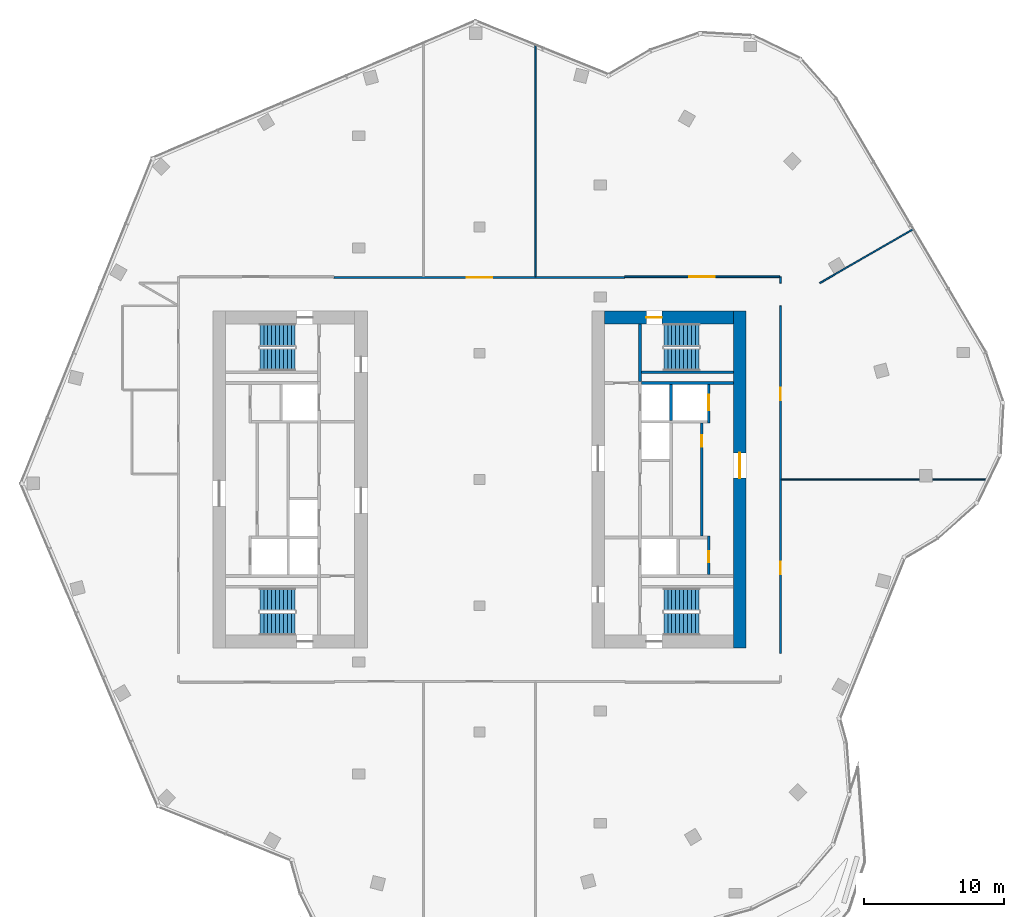
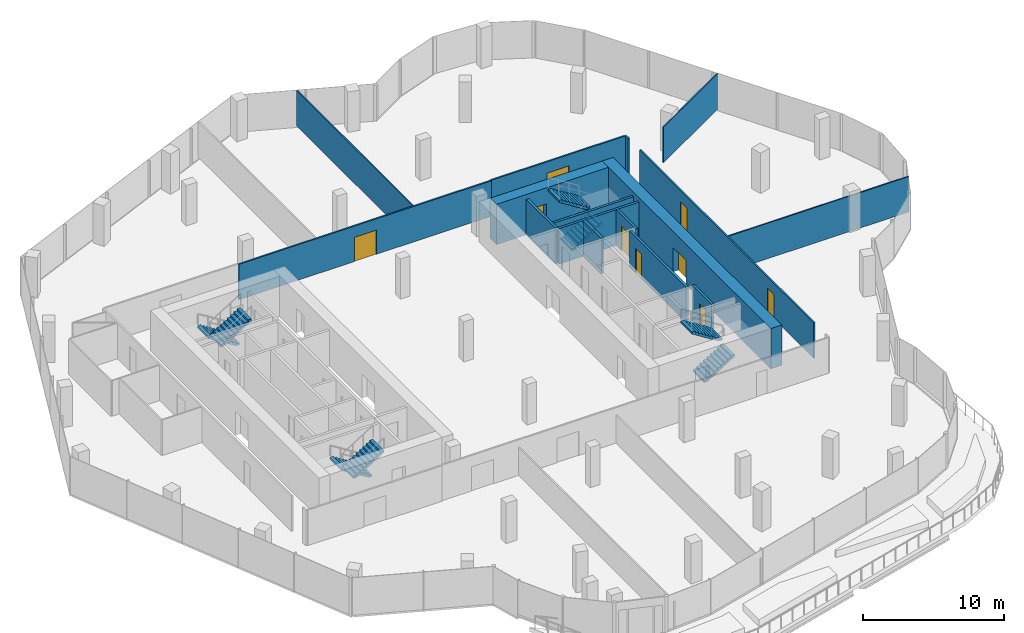
# One storey, part 14 of 16: 16 walls, 9 doors, 8 stair flights, 9 openings, 4 elements without a shape of their own.
"""IFC4 building model written with IfcOpenShell, lengths in metres."""

from ifc_helpers import new_model, si_unit, direction, frame, frame_2d, origin, place, context, subcontext, project, spatial, polyline, rectangle, outline, extrude, material, layer, layer_set, type_object, element, fill, aggregate, save


model = new_model("IFC4")

# Units and contexts
model_context = context("Model", 3, precision=1e-05, world=origin(), true_north=direction((0.0, 1.0)))
body_context = subcontext(model_context, "Body", "Model", "MODEL_VIEW")
ifc_project = project(units=[si_unit("LENGTHUNIT", "METRE"), si_unit("AREAUNIT", "SQUARE_METRE"), si_unit("VOLUMEUNIT", "CUBIC_METRE"), si_unit("PLANEANGLEUNIT", "RADIAN"), si_unit("MASSUNIT", "GRAM", prefix="KILO")], contexts=[model_context])

# Site, building, storey
site_placement = place(None, origin())
site = spatial("IfcSite", under=ifc_project, at=site_placement, CompositionType="ELEMENT")
building_placement = place(site_placement, origin())
building = spatial("IfcBuilding", under=site, at=building_placement, Name="Orlundy Tower", CompositionType="ELEMENT")
storey_placement = place(building_placement, frame((0.0, 0.0, 292.89990234375)))
storey = spatial("IfcBuildingStorey", under=building, at=storey_placement, Name="L78", CompositionType="ELEMENT", Elevation=292.89990234375)

# Wall, opening, door
ifc_material_1 = material(Name="Concrete C50/60", Category="concrete")
ifc_layer_1 = layer(ifc_material_1, 0.89990234375)
ifc_layer_set_1 = layer_set([ifc_layer_1], Name="CORE WALL 900 C50/60")
wall_type_1 = type_object("IfcWallType", Name="CORE WALL 900 C50/60", PredefinedType="SHEAR", material=ifc_layer_set_1)
wall_1_placement = place(storey_placement, frame((8.89990234375, 11.550048828125, 0.0), z_axis=(0.0, 0.0, 1.0), x_axis=(1.0, 0.0, 0.0)))
wall_1 = element("IfcWall", 1, at=wall_1_placement, inside=storey, type_object=wall_type_1, Name="Core wall E-N L78", PredefinedType="SHEAR", context=body_context, shape_type="SweptSolid", body=[
    extrude(rectangle(XDim=9.2001953125, YDim=0.89990234375, at=frame_2d((4.60009765625, 0.0))), origin(), (0.0, 0.0, 1.0), 3.5),
])
opening_1_placement = place(wall_1_placement, frame((3.0, 0.0, 0.0)))
opening_1 = element("IfcOpeningElement", 2, at=opening_1_placement, cuts=wall_1, Name="Opening 60061", PredefinedType="OPENING", context=body_context, shape_type="SweptSolid", body=[
    extrude(rectangle(XDim=1.10009765625, YDim=2.10009765625, at=frame_2d((0.550048828125, 1.050048828125))), frame((0.0, 0.4599609375, 0.0), z_axis=(0.0, -1.0, 0.0), x_axis=(1.0, 0.0, 0.0)), (0.0, 0.0, 1.0), 0.919921875),
])
ifc_material_2 = material(Name="Steel door set", Category="steel")
door_type_1 = type_object("IfcDoorType", Name="Stair Door 1100x2100", OperationType="SINGLE_SWING_LEFT", PredefinedType="DOOR", material=ifc_material_2)
door_1_placement = place(opening_1_placement, origin())
door_1 = element("IfcDoor", 3, at=door_1_placement, inside=storey, type_object=door_type_1, Name="Stair door 60061", OperationType="SINGLE_SWING_LEFT", OverallHeight=2.10009765625, OverallWidth=1.10009765625, PredefinedType="DOOR", context=body_context, shape_type="SweptSolid", body=[
    extrude(rectangle(XDim=1.10009765625, YDim=2.10009765625, at=frame_2d((0.550048828125, 1.050048828125))), frame((0.0, 0.02490234375, 0.0), z_axis=(0.0, -1.0, 0.0), x_axis=(1.0, 0.0, 0.0)), (0.0, 0.0, 1.0), 0.050048828125),
])
fill(opening_1, door_1)

wall_2_placement = place(storey_placement, frame((18.550048828125, -12.0, 0.0), z_axis=(0.0, 0.0, 1.0), x_axis=(0.0, 1.0, 0.0)))
wall_2 = element("IfcWall", 4, at=wall_2_placement, inside=storey, type_object=wall_type_1, Name="Core wall E-E L78", PredefinedType="SHEAR", context=body_context, shape_type="SweptSolid", body=[
    extrude(rectangle(XDim=24.0, YDim=0.89990234375, at=frame_2d((12.0, 0.0))), origin(), (0.0, 0.0, 1.0), 3.5),
])
opening_2_placement = place(wall_2_placement, frame((12.10009765625, 0.0, 0.0)))
opening_2 = element("IfcOpeningElement", 5, at=opening_2_placement, cuts=wall_2, Name="Opening 60058", PredefinedType="OPENING", context=body_context, shape_type="SweptSolid", body=[
    extrude(rectangle(XDim=1.800048828125, YDim=2.10009765625, at=frame_2d((0.89990234375, 1.050048828125))), frame((0.0, 0.4599609375, 0.0), z_axis=(0.0, -1.0, 0.0), x_axis=(1.0, 0.0, 0.0)), (0.0, 0.0, 1.0), 0.919921875),
])
ifc_material_3 = material(Name="Timber door set", Category="wood")
door_type_2 = type_object("IfcDoorType", Name="Lobby Door 1800x2100", OperationType="DOUBLE_DOOR_DOUBLE_SWING", PredefinedType="DOOR", material=ifc_material_3)
door_2_placement = place(opening_2_placement, origin())
door_2 = element("IfcDoor", 6, at=door_2_placement, inside=storey, type_object=door_type_2, Name="Lift lobby door 60058", OperationType="SINGLE_SWING_RIGHT", OverallHeight=2.10009765625, OverallWidth=1.800048828125, PredefinedType="DOOR", context=body_context, shape_type="SweptSolid", body=[
    extrude(rectangle(XDim=1.800048828125, YDim=2.10009765625, at=frame_2d((0.89990234375, 1.050048828125))), frame((0.0, 0.02490234375, 0.0), z_axis=(0.0, -1.0, 0.0), x_axis=(1.0, 0.0, 0.0)), (0.0, 0.0, 1.0), 0.050048828125),
])
fill(opening_2, door_2)

# Walls
ifc_material_4 = material(Name="Gypsum board partition")
ifc_layer_2 = layer(ifc_material_4, 0.10009765625)
ifc_layer_set_2 = layer_set([ifc_layer_2], Name="Floor partition 100")
wall_type_2 = type_object("IfcWallType", Name="Floor partition 100", PredefinedType="PARTITIONING", material=ifc_layer_set_2)
wall_3_placement = place(storey_placement, frame((21.511962890625, 0.0, 0.0), z_axis=(0.0, 0.0, 1.0), x_axis=(1.0, 0.0, 0.0)))
element("IfcWall", 7, at=wall_3_placement, inside=storey, type_object=wall_type_2, Name="wall-int-L78-005", PredefinedType="PARTITIONING", context=body_context, shape_type="SweptSolid", body=[
    extrude(rectangle(XDim=14.841064453125, YDim=0.10009765625, at=frame_2d((7.42041015625, 0.0))), origin(), (0.0, 0.0, 1.0), 3.080078125),
])
wall_4_placement = place(storey_placement, frame((24.2490234375, 14.0, 0.0), z_axis=(0.0, 0.0, 1.0), x_axis=(0.866009351323, 0.500027802648, 0.0)))
element("IfcWall", 8, at=wall_4_placement, inside=storey, type_object=wall_type_2, Name="wall-int-L78-013", PredefinedType="PARTITIONING", context=body_context, shape_type="SweptSolid", body=[
    extrude(rectangle(XDim=7.75146484375, YDim=0.10009765625, at=frame_2d((3.875732421875, 0.0))), origin(), (0.0, 0.0, 1.0), 3.080078125),
])
wall_5_placement = place(storey_placement, frame((4.0, 14.462890625, 0.0), z_axis=(0.0, 0.0, 1.0), x_axis=(0.0, 1.0, 0.0)))
element("IfcWall", 9, at=wall_5_placement, inside=storey, type_object=wall_type_2, Name="wall-int-L78-018", PredefinedType="PARTITIONING", context=body_context, shape_type="SweptSolid", body=[
    extrude(rectangle(XDim=16.547119140625, YDim=0.10009765625, at=frame_2d((8.2734375, 0.0))), origin(), (0.0, 0.0, 1.0), 3.080078125),
])

# Wall, opening, door
ifc_material_5 = material(Name="Gypsum board partition, double layer")
ifc_layer_3 = layer(ifc_material_5, 0.125)
ifc_layer_set_3 = layer_set([ifc_layer_3], Name="Floor partition 125")
wall_type_3 = type_object("IfcWallType", Name="Floor partition 125", PredefinedType="PARTITIONING", material=ifc_layer_set_3)
wall_6_placement = place(storey_placement, frame((-10.389892578125, 14.40087890625, 0.0), z_axis=(0.0, 0.0, 1.0), x_axis=(1.0, 0.0, 0.0)))
wall_6 = element("IfcWall", 10, at=wall_6_placement, inside=storey, type_object=wall_type_3, Name="wall-int-L78-010", PredefinedType="PARTITIONING", context=body_context, shape_type="SweptSolid", body=[
    extrude(rectangle(XDim=20.739013671875, YDim=0.125, at=frame_2d((10.36962890625, 0.0))), origin(), (0.0, 0.0, 1.0), 3.080078125),
])
opening_3_placement = place(wall_6_placement, frame((9.489990234375, 0.0, 0.0)))
opening_3 = element("IfcOpeningElement", 11, at=opening_3_placement, cuts=wall_6, Name="Opening 60108", PredefinedType="OPENING", context=body_context, shape_type="SweptSolid", body=[
    extrude(rectangle(XDim=1.800048828125, YDim=2.10009765625, at=frame_2d((0.89990234375, 1.050048828125))), frame((0.0, 0.072509765625, 0.0), z_axis=(0.0, -1.0, 0.0), x_axis=(1.0, 0.0, 0.0)), (0.0, 0.0, 1.0), 0.14501953125),
])
ifc_material_6 = material(Name="Timber door leaf", Category="wood")
door_type_3 = type_object("IfcDoorType", Name="Floor door double 1800 FD30S", OperationType="NOTDEFINED", PredefinedType="DOOR", material=ifc_material_6)
door_3_placement = place(opening_3_placement, origin())
door_3 = element("IfcDoor", 12, at=door_3_placement, inside=storey, type_object=door_type_3, Name="Door 60108", OperationType="DOUBLE_DOOR_SINGLE_SWING", OverallHeight=2.10009765625, OverallWidth=1.800048828125, PredefinedType="DOOR", context=body_context, shape_type="SweptSolid", body=[
    extrude(rectangle(XDim=1.800048828125, YDim=2.10009765625, at=frame_2d((0.89990234375, 1.050048828125))), frame((0.0, 0.02490234375, 0.0), z_axis=(0.0, -1.0, 0.0), x_axis=(1.0, 0.0, 0.0)), (0.0, 0.0, 1.0), 0.050048828125),
])
fill(opening_3, door_3)

wall_7_placement = place(storey_placement, frame((10.35009765625, 14.450927734375, 0.0), z_axis=(0.0, 0.0, 1.0), x_axis=(1.0, 0.0, 0.0)))
wall_7 = element("IfcWall", 13, at=wall_7_placement, inside=storey, type_object=wall_type_3, Name="wall-int-L78-012", PredefinedType="PARTITIONING", context=body_context, shape_type="SweptSolid", body=[
    extrude(rectangle(XDim=11.036865234375, YDim=0.125, at=frame_2d((5.5185546875, 0.0))), origin(), (0.0, 0.0, 1.0), 3.080078125),
])
opening_4_placement = place(wall_7_placement, frame((4.60009765625, 0.0, 0.0)))
opening_4 = element("IfcOpeningElement", 14, at=opening_4_placement, cuts=wall_7, Name="Opening 60107", PredefinedType="OPENING", context=body_context, shape_type="SweptSolid", body=[
    extrude(rectangle(XDim=1.800048828125, YDim=2.10009765625, at=frame_2d((0.89990234375, 1.050048828125))), frame((0.0, 0.072509765625, 0.0), z_axis=(0.0, -1.0, 0.0), x_axis=(1.0, 0.0, 0.0)), (0.0, 0.0, 1.0), 0.14501953125),
])
door_4_placement = place(opening_4_placement, origin())
door_4 = element("IfcDoor", 15, at=door_4_placement, inside=storey, type_object=door_type_3, Name="Door 60107", OperationType="DOUBLE_DOOR_SINGLE_SWING", OverallHeight=2.10009765625, OverallWidth=1.800048828125, PredefinedType="DOOR", context=body_context, shape_type="SweptSolid", body=[
    extrude(rectangle(XDim=1.800048828125, YDim=2.10009765625, at=frame_2d((0.89990234375, 1.050048828125))), frame((0.0, 0.02490234375, 0.0), z_axis=(0.0, -1.0, 0.0), x_axis=(1.0, 0.0, 0.0)), (0.0, 0.0, 1.0), 0.050048828125),
])
fill(opening_4, door_4)

# Wall, openings, doors
wall_8_placement = place(storey_placement, frame((21.449951171875, 12.384033203125, 0.0), z_axis=(0.0, 0.0, 1.0), x_axis=(0.0, -1.0, 0.0)))
wall_8 = element("IfcWall", 16, at=wall_8_placement, inside=storey, type_object=wall_type_3, Name="wall-int-L78-015", PredefinedType="PARTITIONING", context=body_context, shape_type="SweptSolid", body=[
    extrude(rectangle(XDim=24.76806640625, YDim=0.125, at=frame_2d((12.384033203125, 0.0))), origin(), (0.0, 0.0, 1.0), 3.080078125),
])
opening_5_placement = place(wall_8_placement, frame((18.23388671875, 0.0, 0.0)))
opening_5 = element("IfcOpeningElement", 17, at=opening_5_placement, cuts=wall_8, Name="Opening 60105", PredefinedType="OPENING", context=body_context, shape_type="SweptSolid", body=[
    extrude(rectangle(XDim=0.89990234375, YDim=2.10009765625, at=frame_2d((0.449951171875, 1.050048828125))), frame((0.0, 0.072509765625, 0.0), z_axis=(0.0, -1.0, 0.0), x_axis=(1.0, 0.0, 0.0)), (0.0, 0.0, 1.0), 0.14501953125),
])
opening_6_placement = place(wall_8_placement, frame((5.85009765625, 0.0, 0.0)))
opening_6 = element("IfcOpeningElement", 18, at=opening_6_placement, cuts=wall_8, Name="Opening 60106", PredefinedType="OPENING", context=body_context, shape_type="SweptSolid", body=[
    extrude(rectangle(XDim=0.89990234375, YDim=2.10009765625, at=frame_2d((0.449951171875, 1.050048828125))), frame((0.0, 0.072509765625, 0.0), z_axis=(0.0, -1.0, 0.0), x_axis=(1.0, 0.0, 0.0)), (0.0, 0.0, 1.0), 0.14501953125),
])
ifc_material_7 = material(Name="Timber door leaf", Category="wood")
door_type_4 = type_object("IfcDoorType", Name="Floor door single 900 FD30S", OperationType="NOTDEFINED", PredefinedType="DOOR", material=ifc_material_7)
door_5_placement = place(opening_5_placement, origin())
door_5 = element("IfcDoor", 19, at=door_5_placement, inside=storey, type_object=door_type_4, Name="Door 60105", OperationType="SINGLE_SWING_RIGHT", OverallHeight=2.10009765625, OverallWidth=0.89990234375, PredefinedType="DOOR", context=body_context, shape_type="SweptSolid", body=[
    extrude(rectangle(XDim=0.89990234375, YDim=2.10009765625, at=frame_2d((0.449951171875, 1.050048828125))), frame((0.0, 0.02490234375, 0.0), z_axis=(0.0, -1.0, 0.0), x_axis=(1.0, 0.0, 0.0)), (0.0, 0.0, 1.0), 0.050048828125),
])
fill(opening_5, door_5)
door_6_placement = place(opening_6_placement, origin())
door_6 = element("IfcDoor", 20, at=door_6_placement, inside=storey, type_object=door_type_4, Name="Door 60106", OperationType="SINGLE_SWING_LEFT", OverallHeight=2.10009765625, OverallWidth=0.89990234375, PredefinedType="DOOR", context=body_context, shape_type="SweptSolid", body=[
    extrude(rectangle(XDim=0.89990234375, YDim=2.10009765625, at=frame_2d((0.449951171875, 1.050048828125))), frame((0.0, 0.02490234375, 0.0), z_axis=(0.0, -1.0, 0.0), x_axis=(1.0, 0.0, 0.0)), (0.0, 0.0, 1.0), 0.050048828125),
])
fill(opening_6, door_6)

# Walls
wall_9_placement = place(storey_placement, frame((21.449951171875, 14.0, 0.0), z_axis=(0.0, 0.0, 1.0), x_axis=(0.0, 1.0, 0.0)))
element("IfcWall", 21, at=wall_9_placement, inside=storey, type_object=wall_type_3, Name="wall-int-L78-016", PredefinedType="PARTITIONING", context=body_context, shape_type="SweptSolid", body=[
    extrude(rectangle(XDim=0.450927734375, YDim=0.125, at=frame_2d((0.2255859375, 0.0))), origin(), (0.0, 0.0, 1.0), 3.080078125),
])
ifc_material_8 = material(Name="Concrete C40/50", Category="concrete")
ifc_layer_4 = layer(ifc_material_8, 0.199951171875)
ifc_layer_set_4 = layer_set([ifc_layer_4], Name="Load-bearing Shaft Wall 200")
wall_type_4 = type_object("IfcWallType", Name="Load-bearing Shaft Wall 200", PredefinedType="SOLIDWALL", material=ifc_layer_set_4)
wall_10_placement = place(storey_placement, frame((11.43994140625, 11.10009765625, 0.0), z_axis=(0.0, 0.0, 1.0), x_axis=(0.0, -1.0, 0.0)))
element("IfcWall", 22, at=wall_10_placement, inside=storey, type_object=wall_type_4, Name="Shaft wall E60-stair-end-s", PredefinedType="SOLIDWALL", context=body_context, shape_type="SweptSolid", body=[
    extrude(rectangle(XDim=4.125, YDim=0.199951171875, at=frame_2d((2.0625, 0.0))), origin(), (0.0, 0.0, 1.0), 3.090087890625),
])
wall_11_placement = place(storey_placement, frame((11.5400390625, 7.64990234375, 0.0), z_axis=(0.0, 0.0, 1.0), x_axis=(1.0, 0.0, 0.0)))
element("IfcWall", 23, at=wall_11_placement, inside=storey, type_object=wall_type_4, Name="Shaft wall E60-stair-side-s", PredefinedType="SOLIDWALL", context=body_context, shape_type="SweptSolid", body=[
    extrude(rectangle(XDim=6.56005859375, YDim=0.199951171875, at=frame_2d((3.280029296875, 0.0))), origin(), (0.0, 0.0, 1.0), 3.090087890625),
])
ifc_material_9 = material(Name="Fire-rated blockwork shaft wall", Category="masonry")
ifc_layer_5 = layer(ifc_material_9, 0.199951171875)
ifc_layer_set_5 = layer_set([ifc_layer_5], Name="Shaft Wall 200")
wall_type_5 = type_object("IfcWallType", Name="Shaft Wall 200", PredefinedType="SOLIDWALL", material=ifc_layer_set_5)
wall_12_placement = place(storey_placement, frame((11.5400390625, 6.875, 0.0), z_axis=(0.0, 0.0, 1.0), x_axis=(1.0, 0.0, 0.0)))
element("IfcWall", 24, at=wall_12_placement, inside=storey, type_object=wall_type_5, Name="Shaft wall E60-zone-s", PredefinedType="SOLIDWALL", context=body_context, shape_type="SweptSolid", body=[
    extrude(rectangle(XDim=6.56005859375, YDim=0.199951171875, at=frame_2d((3.280029296875, 0.0))), origin(), (0.0, 0.0, 1.0), 3.090087890625),
])
wall_13_placement = place(storey_placement, frame((13.639892578125, 6.77490234375, 0.0), z_axis=(0.0, 0.0, 1.0), x_axis=(0.0, -1.0, 0.0)))
element("IfcWall", 25, at=wall_13_placement, inside=storey, type_object=wall_type_5, Name="Shaft wall E60-mid-a", PredefinedType="SOLIDWALL", context=body_context, shape_type="SweptSolid", body=[
    extrude(rectangle(XDim=2.5498046875, YDim=0.199951171875, at=frame_2d((1.27490234375, 0.0))), origin(), (0.0, 0.0, 1.0), 3.090087890625),
])

# Wall, opening, door
wall_14_placement = place(storey_placement, frame((16.340087890625, 6.77490234375, 0.0), z_axis=(0.0, 0.0, 1.0), x_axis=(0.0, -1.0, 0.0)))
wall_14 = element("IfcWall", 26, at=wall_14_placement, inside=storey, type_object=wall_type_5, Name="Shaft wall E60-front-o-a", PredefinedType="SOLIDWALL", context=body_context, shape_type="SweptSolid", body=[
    extrude(rectangle(XDim=2.75, YDim=0.199951171875, at=frame_2d((1.375, 0.0))), origin(), (0.0, 0.0, 1.0), 3.090087890625),
])
opening_7_placement = place(wall_14_placement, frame((0.72509765625, 0.0, 0.0)))
opening_7 = element("IfcOpeningElement", 27, at=opening_7_placement, cuts=wall_14, Name="Opening 60051", PredefinedType="OPENING", context=body_context, shape_type="SweptSolid", body=[
    extrude(rectangle(XDim=1.10009765625, YDim=2.10009765625, at=frame_2d((0.550048828125, 1.050048828125))), frame((0.0, 0.110107421875, 0.0), z_axis=(0.0, -1.0, 0.0), x_axis=(1.0, 0.0, 0.0)), (0.0, 0.0, 1.0), 0.22021484375),
])
ifc_material_10 = material(Name="Steel door set", Category="steel")
door_type_5 = type_object("IfcDoorType", Name="Landing Door 1100x2100", OperationType="DOUBLE_DOOR_SLIDING", PredefinedType="DOOR", material=ifc_material_10)
door_7_placement = place(opening_7_placement, origin())
door_7 = element("IfcDoor", 28, at=door_7_placement, inside=storey, type_object=door_type_5, Name="Lift landing door LV-02 60051", OperationType="DOUBLE_DOOR_SLIDING", OverallHeight=2.10009765625, OverallWidth=1.10009765625, PredefinedType="DOOR", context=body_context, shape_type="SweptSolid", body=[
    extrude(rectangle(XDim=1.10009765625, YDim=2.10009765625, at=frame_2d((0.550048828125, 1.050048828125))), frame((0.0, 0.02490234375, 0.0), z_axis=(0.0, -1.0, 0.0), x_axis=(1.0, 0.0, 0.0)), (0.0, 0.0, 1.0), 0.050048828125),
])
fill(opening_7, door_7)

wall_15_placement = place(storey_placement, frame((15.840087890625, 4.02490234375, 0.0), z_axis=(0.0, 0.0, 1.0), x_axis=(0.0, -1.0, 0.0)))
wall_15 = element("IfcWall", 29, at=wall_15_placement, inside=storey, type_object=wall_type_5, Name="Shaft wall E60-front-o-b", PredefinedType="SOLIDWALL", context=body_context, shape_type="SweptSolid", body=[
    extrude(rectangle(XDim=8.0498046875, YDim=0.199951171875, at=frame_2d((4.02490234375, 0.0))), origin(), (0.0, 0.0, 1.0), 3.090087890625),
])
opening_8_placement = place(wall_15_placement, frame((0.875, 0.0, 0.0)))
opening_8 = element("IfcOpeningElement", 30, at=opening_8_placement, cuts=wall_15, Name="Opening 60054", PredefinedType="OPENING", context=body_context, shape_type="SweptSolid", body=[
    extrude(rectangle(XDim=0.800048828125, YDim=2.10009765625, at=frame_2d((0.39990234375, 1.050048828125))), frame((0.0, 0.110107421875, 0.0), z_axis=(0.0, -1.0, 0.0), x_axis=(1.0, 0.0, 0.0)), (0.0, 0.0, 1.0), 0.22021484375),
])
ifc_material_11 = material(Name="Timber door set", Category="wood")
door_type_6 = type_object("IfcDoorType", Name="Riser Door 800x2100", OperationType="SINGLE_SWING_LEFT", PredefinedType="DOOR", material=ifc_material_11)
door_8_placement = place(opening_8_placement, origin())
door_8 = element("IfcDoor", 31, at=door_8_placement, inside=storey, type_object=door_type_6, Name="HVAC Riser door 60054", OperationType="SINGLE_SWING_LEFT", OverallHeight=2.10009765625, OverallWidth=0.800048828125, PredefinedType="DOOR", context=body_context, shape_type="SweptSolid", body=[
    extrude(rectangle(XDim=0.800048828125, YDim=2.10009765625, at=frame_2d((0.39990234375, 1.050048828125))), frame((0.0, 0.02490234375, 0.0), z_axis=(0.0, -1.0, 0.0), x_axis=(1.0, 0.0, 0.0)), (0.0, 0.0, 1.0), 0.050048828125),
])
fill(opening_8, door_8)

wall_16_placement = place(storey_placement, frame((16.340087890625, -4.02490234375, 0.0), z_axis=(0.0, 0.0, 1.0), x_axis=(0.0, -1.0, 0.0)))
wall_16 = element("IfcWall", 32, at=wall_16_placement, inside=storey, type_object=wall_type_5, Name="Shaft wall E60-front-o-c", PredefinedType="SOLIDWALL", context=body_context, shape_type="SweptSolid", body=[
    extrude(rectangle(XDim=2.75, YDim=0.199951171875, at=frame_2d((1.375, 0.0))), origin(), (0.0, 0.0, 1.0), 3.090087890625),
])
opening_9_placement = place(wall_16_placement, frame((1.074951171875, 0.0, 0.0)))
opening_9 = element("IfcOpeningElement", 33, at=opening_9_placement, cuts=wall_16, Name="Opening 60056", PredefinedType="OPENING", context=body_context, shape_type="SweptSolid", body=[
    extrude(rectangle(XDim=0.800048828125, YDim=2.10009765625, at=frame_2d((0.39990234375, 1.050048828125))), frame((0.0, 0.110107421875, 0.0), z_axis=(0.0, -1.0, 0.0), x_axis=(1.0, 0.0, 0.0)), (0.0, 0.0, 1.0), 0.22021484375),
])
door_9_placement = place(opening_9_placement, origin())
door_9 = element("IfcDoor", 34, at=door_9_placement, inside=storey, type_object=door_type_6, Name="Cable Riser Room door 60056", OperationType="SINGLE_SWING_LEFT", OverallHeight=2.10009765625, OverallWidth=0.800048828125, PredefinedType="DOOR", context=body_context, shape_type="SweptSolid", body=[
    extrude(rectangle(XDim=0.800048828125, YDim=2.10009765625, at=frame_2d((0.39990234375, 1.050048828125))), frame((0.0, 0.02490234375, 0.0), z_axis=(0.0, -1.0, 0.0), x_axis=(1.0, 0.0, 0.0)), (0.0, 0.0, 1.0), 0.050048828125),
])
fill(opening_9, door_9)

# Stair, stair flights
ifc_material_12 = material(Name="Concrete C50/60", Category="concrete")
stair_type = type_object("IfcStairType", Name="Exit Stair 20 risers", PredefinedType="HALF_TURN_STAIR", material=ifc_material_12)
stair_1_placement = place(storey_placement, origin())
stair_1 = element("IfcStair", 35, at=stair_1_placement, inside=storey, type_object=stair_type, Name="L78 Exit Stair ST-W1", PredefinedType="HALF_TURN_STAIR")
ifc_material_13 = material(Name="Concrete C50/60", Category="concrete")
stair_flight_type = type_object("IfcStairFlightType", Name="Stair Flight 10 risers", PredefinedType="STRAIGHT", material=ifc_material_13)
stair_flight_1_placement = place(storey_placement, frame((-13.139892578125, 10.300048828125, 0.0), z_axis=(0.0, 0.0, 1.0), x_axis=(-1.0, 0.0, 0.0)))
stair_flight_1 = element("IfcStairFlight", 36, at=stair_flight_1_placement, type_object=stair_flight_type, Name="ST-W1 flight 1", NumberOfRisers=10, NumberOfTreads=9, PredefinedType="STRAIGHT", RiserHeight=0.175, TreadLength=0.28, context=body_context, shape_type="SweptSolid", body=[
    extrude(outline(polyline([(0.0, 0.0), (0.0, 0.175048828125), (0.280029296875, 0.175048828125), (0.280029296875, 0.35009765625), (0.56005859375, 0.35009765625), (0.56005859375, 0.52490234375), (0.840087890625, 0.52490234375), (0.840087890625, 0.699951171875), (1.1201171875, 0.699951171875), (1.1201171875, 0.875), (1.39990234375, 0.875), (1.39990234375, 1.050048828125), (1.679931640625, 1.050048828125), (1.679931640625, 1.22509765625), (1.9599609375, 1.22509765625), (1.9599609375, 1.39990234375), (2.239990234375, 1.39990234375), (2.239990234375, 1.574951171875), (2.52001953125, 1.574951171875), (2.52001953125, 1.75), (2.52001953125, 1.398193359375), (0.28271484375, 0.0), (0.0, 0.0)])), frame((0.0, 0.800048828125, 0.0), z_axis=(0.0, -1.0, 0.0), x_axis=(1.0, 0.0, 0.0)), (0.0, 0.0, 1.0), 1.60009765625),
])
stair_flight_2_placement = place(storey_placement, frame((-15.659912109375, 8.550048828125, 1.75), z_axis=(0.0, 0.0, 1.0), x_axis=(1.0, 0.0, 0.0)))
stair_flight_2 = element("IfcStairFlight", 37, at=stair_flight_2_placement, type_object=stair_flight_type, Name="ST-W1 flight 2", NumberOfRisers=10, NumberOfTreads=9, PredefinedType="STRAIGHT", RiserHeight=0.175, TreadLength=0.28, context=body_context, shape_type="SweptSolid", body=[
    extrude(outline(polyline([(0.0, 0.0), (0.0, 0.175048828125), (0.280029296875, 0.175048828125), (0.280029296875, 0.35009765625), (0.56005859375, 0.35009765625), (0.56005859375, 0.52490234375), (0.840087890625, 0.52490234375), (0.840087890625, 0.699951171875), (1.1201171875, 0.699951171875), (1.1201171875, 0.875), (1.39990234375, 0.875), (1.39990234375, 1.050048828125), (1.679931640625, 1.050048828125), (1.679931640625, 1.22509765625), (1.9599609375, 1.22509765625), (1.9599609375, 1.39990234375), (2.239990234375, 1.39990234375), (2.239990234375, 1.574951171875), (2.52001953125, 1.574951171875), (2.52001953125, 1.75), (2.52001953125, 1.398193359375), (0.28271484375, 0.0), (0.0, 0.0)])), frame((0.0, 0.800048828125, 0.0), z_axis=(0.0, -1.0, 0.0), x_axis=(1.0, 0.0, 0.0)), (0.0, 0.0, 1.0), 1.60009765625),
])
aggregate(stair_1, [stair_flight_1, stair_flight_2])

stair_2_placement = place(storey_placement, origin())
stair_2 = element("IfcStair", 38, at=stair_2_placement, inside=storey, type_object=stair_type, Name="L78 Exit Stair ST-W2", PredefinedType="HALF_TURN_STAIR")
stair_flight_3_placement = place(storey_placement, frame((-13.139892578125, -8.550048828125, 0.0), z_axis=(0.0, 0.0, 1.0), x_axis=(-1.0, 0.0, 0.0)))
stair_flight_3 = element("IfcStairFlight", 39, at=stair_flight_3_placement, type_object=stair_flight_type, Name="ST-W2 flight 1", NumberOfRisers=10, NumberOfTreads=9, PredefinedType="STRAIGHT", RiserHeight=0.175, TreadLength=0.28, context=body_context, shape_type="SweptSolid", body=[
    extrude(outline(polyline([(0.0, 0.0), (0.0, 0.175048828125), (0.280029296875, 0.175048828125), (0.280029296875, 0.35009765625), (0.56005859375, 0.35009765625), (0.56005859375, 0.52490234375), (0.840087890625, 0.52490234375), (0.840087890625, 0.699951171875), (1.1201171875, 0.699951171875), (1.1201171875, 0.875), (1.39990234375, 0.875), (1.39990234375, 1.050048828125), (1.679931640625, 1.050048828125), (1.679931640625, 1.22509765625), (1.9599609375, 1.22509765625), (1.9599609375, 1.39990234375), (2.239990234375, 1.39990234375), (2.239990234375, 1.574951171875), (2.52001953125, 1.574951171875), (2.52001953125, 1.75), (2.52001953125, 1.398193359375), (0.28271484375, 0.0), (0.0, 0.0)])), frame((0.0, 0.800048828125, 0.0), z_axis=(0.0, -1.0, 0.0), x_axis=(1.0, 0.0, 0.0)), (0.0, 0.0, 1.0), 1.60009765625),
])
stair_flight_4_placement = place(storey_placement, frame((-15.659912109375, -10.300048828125, 1.75), z_axis=(0.0, 0.0, 1.0), x_axis=(1.0, 0.0, 0.0)))
stair_flight_4 = element("IfcStairFlight", 40, at=stair_flight_4_placement, type_object=stair_flight_type, Name="ST-W2 flight 2", NumberOfRisers=10, NumberOfTreads=9, PredefinedType="STRAIGHT", RiserHeight=0.175, TreadLength=0.28, context=body_context, shape_type="SweptSolid", body=[
    extrude(outline(polyline([(0.0, 0.0), (0.0, 0.175048828125), (0.280029296875, 0.175048828125), (0.280029296875, 0.35009765625), (0.56005859375, 0.35009765625), (0.56005859375, 0.52490234375), (0.840087890625, 0.52490234375), (0.840087890625, 0.699951171875), (1.1201171875, 0.699951171875), (1.1201171875, 0.875), (1.39990234375, 0.875), (1.39990234375, 1.050048828125), (1.679931640625, 1.050048828125), (1.679931640625, 1.22509765625), (1.9599609375, 1.22509765625), (1.9599609375, 1.39990234375), (2.239990234375, 1.39990234375), (2.239990234375, 1.574951171875), (2.52001953125, 1.574951171875), (2.52001953125, 1.75), (2.52001953125, 1.398193359375), (0.28271484375, 0.0), (0.0, 0.0)])), frame((0.0, 0.800048828125, 0.0), z_axis=(0.0, -1.0, 0.0), x_axis=(1.0, 0.0, 0.0)), (0.0, 0.0, 1.0), 1.60009765625),
])
aggregate(stair_2, [stair_flight_3, stair_flight_4])

stair_3_placement = place(storey_placement, origin())
stair_3 = element("IfcStair", 41, at=stair_3_placement, inside=storey, type_object=stair_type, Name="L78 Exit Stair ST-E1", PredefinedType="HALF_TURN_STAIR")
stair_flight_5_placement = place(storey_placement, frame((13.139892578125, -10.300048828125, 0.0), z_axis=(0.0, 0.0, 1.0), x_axis=(1.0, 0.0, 0.0)))
stair_flight_5 = element("IfcStairFlight", 42, at=stair_flight_5_placement, type_object=stair_flight_type, Name="ST-E1 flight 1", NumberOfRisers=10, NumberOfTreads=9, PredefinedType="STRAIGHT", RiserHeight=0.175, TreadLength=0.28, context=body_context, shape_type="SweptSolid", body=[
    extrude(outline(polyline([(0.0, 0.0), (0.0, 0.175048828125), (0.280029296875, 0.175048828125), (0.280029296875, 0.35009765625), (0.56005859375, 0.35009765625), (0.56005859375, 0.52490234375), (0.840087890625, 0.52490234375), (0.840087890625, 0.699951171875), (1.1201171875, 0.699951171875), (1.1201171875, 0.875), (1.39990234375, 0.875), (1.39990234375, 1.050048828125), (1.679931640625, 1.050048828125), (1.679931640625, 1.22509765625), (1.9599609375, 1.22509765625), (1.9599609375, 1.39990234375), (2.239990234375, 1.39990234375), (2.239990234375, 1.574951171875), (2.52001953125, 1.574951171875), (2.52001953125, 1.75), (2.52001953125, 1.398193359375), (0.28271484375, 0.0), (0.0, 0.0)])), frame((0.0, 0.800048828125, 0.0), z_axis=(0.0, -1.0, 0.0), x_axis=(1.0, 0.0, 0.0)), (0.0, 0.0, 1.0), 1.60009765625),
])
stair_flight_6_placement = place(storey_placement, frame((15.659912109375, -8.550048828125, 1.75), z_axis=(0.0, 0.0, 1.0), x_axis=(-1.0, 0.0, 0.0)))
stair_flight_6 = element("IfcStairFlight", 43, at=stair_flight_6_placement, type_object=stair_flight_type, Name="ST-E1 flight 2", NumberOfRisers=10, NumberOfTreads=9, PredefinedType="STRAIGHT", RiserHeight=0.175, TreadLength=0.28, context=body_context, shape_type="SweptSolid", body=[
    extrude(outline(polyline([(0.0, 0.0), (0.0, 0.175048828125), (0.280029296875, 0.175048828125), (0.280029296875, 0.35009765625), (0.56005859375, 0.35009765625), (0.56005859375, 0.52490234375), (0.840087890625, 0.52490234375), (0.840087890625, 0.699951171875), (1.1201171875, 0.699951171875), (1.1201171875, 0.875), (1.39990234375, 0.875), (1.39990234375, 1.050048828125), (1.679931640625, 1.050048828125), (1.679931640625, 1.22509765625), (1.9599609375, 1.22509765625), (1.9599609375, 1.39990234375), (2.239990234375, 1.39990234375), (2.239990234375, 1.574951171875), (2.52001953125, 1.574951171875), (2.52001953125, 1.75), (2.52001953125, 1.398193359375), (0.28271484375, 0.0), (0.0, 0.0)])), frame((0.0, 0.800048828125, 0.0), z_axis=(0.0, -1.0, 0.0), x_axis=(1.0, 0.0, 0.0)), (0.0, 0.0, 1.0), 1.60009765625),
])
aggregate(stair_3, [stair_flight_5, stair_flight_6])

stair_4_placement = place(storey_placement, origin())
stair_4 = element("IfcStair", 44, at=stair_4_placement, inside=storey, type_object=stair_type, Name="L78 Exit Stair ST-E2", PredefinedType="HALF_TURN_STAIR")
stair_flight_7_placement = place(storey_placement, frame((13.139892578125, 8.550048828125, 0.0), z_axis=(0.0, 0.0, 1.0), x_axis=(1.0, 0.0, 0.0)))
stair_flight_7 = element("IfcStairFlight", 45, at=stair_flight_7_placement, type_object=stair_flight_type, Name="ST-E2 flight 1", NumberOfRisers=10, NumberOfTreads=9, PredefinedType="STRAIGHT", RiserHeight=0.175, TreadLength=0.28, context=body_context, shape_type="SweptSolid", body=[
    extrude(outline(polyline([(0.0, 0.0), (0.0, 0.175048828125), (0.280029296875, 0.175048828125), (0.280029296875, 0.35009765625), (0.56005859375, 0.35009765625), (0.56005859375, 0.52490234375), (0.840087890625, 0.52490234375), (0.840087890625, 0.699951171875), (1.1201171875, 0.699951171875), (1.1201171875, 0.875), (1.39990234375, 0.875), (1.39990234375, 1.050048828125), (1.679931640625, 1.050048828125), (1.679931640625, 1.22509765625), (1.9599609375, 1.22509765625), (1.9599609375, 1.39990234375), (2.239990234375, 1.39990234375), (2.239990234375, 1.574951171875), (2.52001953125, 1.574951171875), (2.52001953125, 1.75), (2.52001953125, 1.398193359375), (0.28271484375, 0.0), (0.0, 0.0)])), frame((0.0, 0.800048828125, 0.0), z_axis=(0.0, -1.0, 0.0), x_axis=(1.0, 0.0, 0.0)), (0.0, 0.0, 1.0), 1.60009765625),
])
stair_flight_8_placement = place(storey_placement, frame((15.659912109375, 10.300048828125, 1.75), z_axis=(0.0, 0.0, 1.0), x_axis=(-1.0, 0.0, 0.0)))
stair_flight_8 = element("IfcStairFlight", 46, at=stair_flight_8_placement, type_object=stair_flight_type, Name="ST-E2 flight 2", NumberOfRisers=10, NumberOfTreads=9, PredefinedType="STRAIGHT", RiserHeight=0.175, TreadLength=0.28, context=body_context, shape_type="SweptSolid", body=[
    extrude(outline(polyline([(0.0, 0.0), (0.0, 0.175048828125), (0.280029296875, 0.175048828125), (0.280029296875, 0.35009765625), (0.56005859375, 0.35009765625), (0.56005859375, 0.52490234375), (0.840087890625, 0.52490234375), (0.840087890625, 0.699951171875), (1.1201171875, 0.699951171875), (1.1201171875, 0.875), (1.39990234375, 0.875), (1.39990234375, 1.050048828125), (1.679931640625, 1.050048828125), (1.679931640625, 1.22509765625), (1.9599609375, 1.22509765625), (1.9599609375, 1.39990234375), (2.239990234375, 1.39990234375), (2.239990234375, 1.574951171875), (2.52001953125, 1.574951171875), (2.52001953125, 1.75), (2.52001953125, 1.398193359375), (0.28271484375, 0.0), (0.0, 0.0)])), frame((0.0, 0.800048828125, 0.0), z_axis=(0.0, -1.0, 0.0), x_axis=(1.0, 0.0, 0.0)), (0.0, 0.0, 1.0), 1.60009765625),
])
aggregate(stair_4, [stair_flight_7, stair_flight_8])

save(model, "model.ifc")
